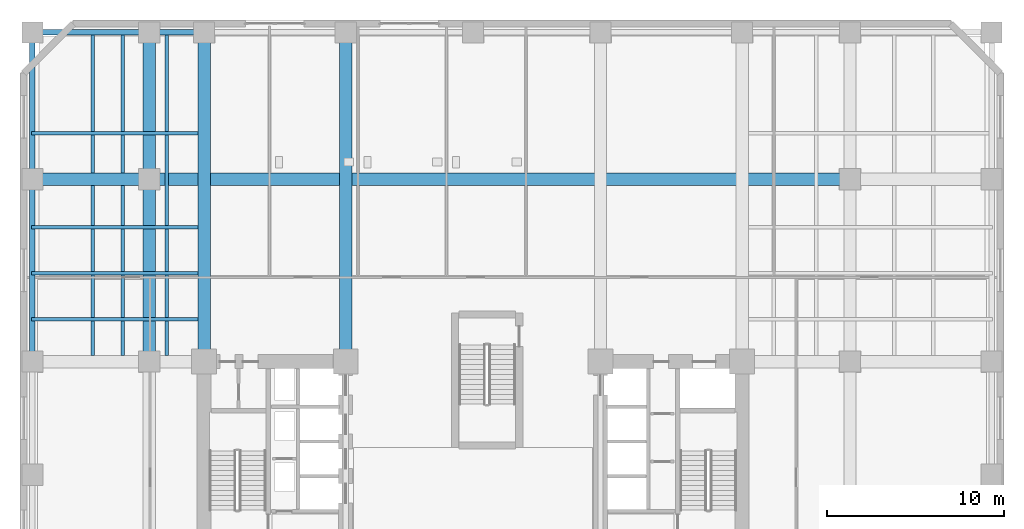
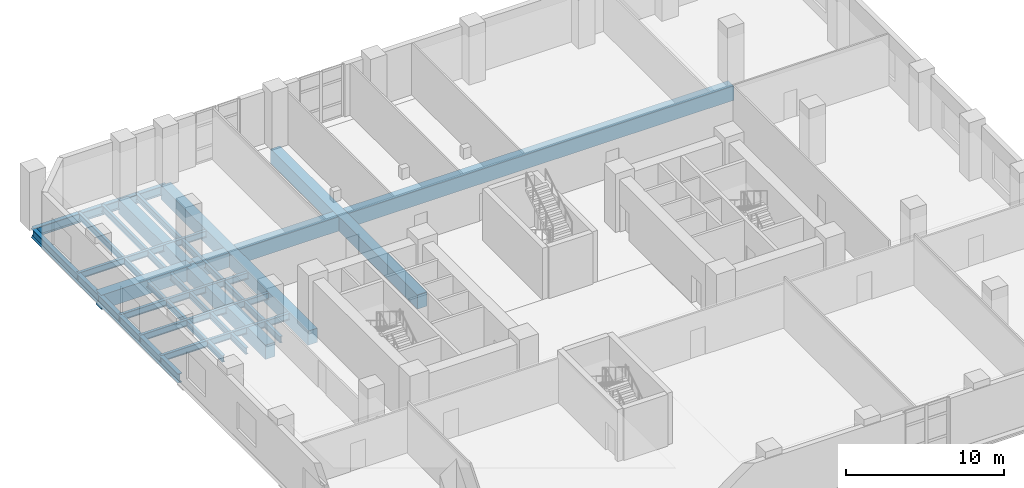
# One storey, part 3 of 15: 17 beams.
"""IFC4 building model written with IfcOpenShell, lengths in metres."""

from ifc_helpers import new_model, si_unit, direction, frame, origin, origin_2d, place, context, subcontext, project, spatial, rectangle, i_section, extrude, material, material_profile, profile_set, type_object, element, save


model = new_model("IFC4")

# Units and contexts
model_context = context("Model", 3, precision=1e-05, world=origin(), true_north=direction((0.0, 1.0)))
body_context = subcontext(model_context, "Body", "Model", "MODEL_VIEW")
ifc_project = project(units=[si_unit("LENGTHUNIT", "METRE"), si_unit("AREAUNIT", "SQUARE_METRE"), si_unit("VOLUMEUNIT", "CUBIC_METRE"), si_unit("PLANEANGLEUNIT", "RADIAN"), si_unit("MASSUNIT", "GRAM", prefix="KILO")], contexts=[model_context])

# Site, building, storey
site_placement = place(None, origin())
site = spatial("IfcSite", under=ifc_project, at=site_placement, CompositionType="ELEMENT")
building_placement = place(site_placement, origin())
building = spatial("IfcBuilding", under=site, at=building_placement, Name="Kranthara Brick Stack", CompositionType="ELEMENT")
storey_placement = place(building_placement, frame((0.0, 0.0, 14.39990234375)))
storey = spatial("IfcBuildingStorey", under=building, at=storey_placement, Name="L03", CompositionType="ELEMENT", Elevation=14.39990234375)

# Beams
ifc_material_1 = material(Name="Steel S355", Category="steel")
ifc_material_profile_1 = material_profile(ifc_material_1, i_section(OverallWidth=0.199951171875, OverallDepth=0.5, WebThickness=0.01025390625, FlangeThickness=0.01611328125, at=origin_2d()), Name="IPE 500")
ifc_profile_set_1 = profile_set([ifc_material_profile_1], Name="Steel S355")
beam_type_1 = type_object("IfcBeamType", Name="BM-JST-IPE500", PredefinedType="JOIST", material=ifc_profile_set_1)
for number, where, z_axis, x_axis, name in (
    (1, (6.5, 33.949951171875, -0.56982421875), (0.0, 1.0, 0.0), (-1.0, 0.0, 0.0), "L03 North Wing Floor Joist 066"),
    (2, (8.199951171875, 33.949951171875, -0.56982421875), (0.0, 1.0, 0.0), (-1.0, 0.0, 0.0), "L03 North Wing Floor Joist 068"),
    (3, (10.699951171875, 33.949951171875, -0.56982421875), (0.0, 1.0, 0.0), (-1.0, 0.0, 0.0), "L03 North Wing Floor Joist 070"),
):
    element("IfcBeam", number, at=place(storey_placement, frame(where, z_axis=z_axis, x_axis=x_axis)), inside=storey, type_object=beam_type_1, Name=name, PredefinedType="JOIST", context=body_context, shape_type="SweptSolid", body=[
        extrude(i_section(OverallWidth=0.199951171875, OverallDepth=0.5, WebThickness=0.01025390625, FlangeThickness=0.01611328125, at=origin_2d()), origin(), (0.0, 0.0, 1.0), 18.300048828125),
    ])
for number, where, z_axis, x_axis, name in (
    (4, (3.050048828125, 36.0, -0.56982421875), (1.0, 0.0, 0.0), (0.0, 1.0, 0.0), "L03 West Wing Floor Joist 091"),
    (5, (3.050048828125, 38.60009765625, -0.56982421875), (1.0, 0.0, 0.0), (0.0, 1.0, 0.0), "L03 West Wing Floor Joist 093"),
    (6, (3.050048828125, 41.199951171875, -0.56982421875), (1.0, 0.0, 0.0), (0.0, 1.0, 0.0), "L03 West Wing Floor Joist 095"),
    (7, (3.050048828125, 46.5, -0.56982421875), (1.0, 0.0, 0.0), (0.0, 1.0, 0.0), "L03 West Wing Floor Joist 097"),
):
    element("IfcBeam", number, at=place(storey_placement, frame(where, z_axis=z_axis, x_axis=x_axis)), inside=storey, type_object=beam_type_1, Name=name, PredefinedType="JOIST", context=body_context, shape_type="SweptSolid", body=[
        extrude(i_section(OverallWidth=0.199951171875, OverallDepth=0.5, WebThickness=0.01025390625, FlangeThickness=0.01611328125, at=origin_2d()), origin(), (0.0, 0.0, 1.0), 9.39990234375),
    ])
ifc_material_2 = material(Name="Post-tensioned concrete C45/55", Category="concrete")
ifc_material_profile_2 = material_profile(ifc_material_2, rectangle(XDim=0.699951171875, YDim=1.10009765625, at=origin_2d()), Name="PT 700x1100")
ifc_profile_set_2 = profile_set([ifc_material_profile_2], Name="Post-tensioned concrete C45/55")
beam_type_2 = type_object("IfcBeamType", Name="BM-POD-PT1100", PredefinedType="BEAM", material=ifc_profile_set_2)
beam_1_placement = place(storey_placement, frame((9.699951171875, 33.60009765625, -0.869873046875), z_axis=(0.0, 1.0, 0.0), x_axis=(-1.0, 0.0, 0.0)))
element("IfcBeam", 8, at=beam_1_placement, inside=storey, type_object=beam_type_2, Name="L03 Primary Grid Girder 035", PredefinedType="BEAM", context=body_context, shape_type="SweptSolid", body=[
    extrude(rectangle(XDim=0.699951171875, YDim=1.10009765625, at=origin_2d()), origin(), (0.0, 0.0, 1.0), 10.2998046875),
])
beam_2_placement = place(storey_placement, frame((9.699951171875, 43.89990234375, -0.869873046875), z_axis=(0.0, 1.0, 0.0), x_axis=(-1.0, 0.0, 0.0)))
element("IfcBeam", 9, at=beam_2_placement, inside=storey, type_object=beam_type_2, Name="L03 Primary Grid Girder 036", PredefinedType="BEAM", context=body_context, shape_type="SweptSolid", body=[
    extrude(rectangle(XDim=0.699951171875, YDim=1.10009765625, at=origin_2d()), origin(), (0.0, 0.0, 1.0), 8.300048828125),
])
for number, where, z_axis, x_axis, name in (
    (10, (12.800048828125, 33.60009765625, -0.869873046875), (0.0, 1.0, 0.0), (-1.0, 0.0, 0.0), "L03 Primary Grid Girder 038"),
    (11, (20.800048828125, 33.60009765625, -0.869873046875), (0.0, 1.0, 0.0), (-1.0, 0.0, 0.0), "L03 Primary Grid Girder 040"),
):
    element("IfcBeam", number, at=place(storey_placement, frame(where, z_axis=z_axis, x_axis=x_axis)), inside=storey, type_object=beam_type_2, Name=name, PredefinedType="BEAM", context=body_context, shape_type="SweptSolid", body=[
        extrude(rectangle(XDim=0.699951171875, YDim=1.10009765625, at=origin_2d()), origin(), (0.0, 0.0, 1.0), 18.599853515625),
    ])
beam_3_placement = place(storey_placement, frame((3.10009765625, 43.89990234375, -0.869873046875), z_axis=(1.0, 0.0, 0.0), x_axis=(0.0, 1.0, 0.0)))
element("IfcBeam", 12, at=beam_3_placement, inside=storey, type_object=beam_type_2, Name="L03 Primary Grid Girder 062", PredefinedType="BEAM", context=body_context, shape_type="SweptSolid", body=[
    extrude(rectangle(XDim=0.699951171875, YDim=1.10009765625, at=origin_2d()), origin(), (0.0, 0.0, 1.0), 6.599853515625),
])
beam_4_placement = place(storey_placement, frame((9.699951171875, 43.89990234375, -0.869873046875), z_axis=(1.0, 0.0, 0.0), x_axis=(0.0, 1.0, 0.0)))
element("IfcBeam", 13, at=beam_4_placement, inside=storey, type_object=beam_type_2, Name="L03 Primary Grid Girder 063", PredefinedType="BEAM", context=body_context, shape_type="SweptSolid", body=[
    extrude(rectangle(XDim=0.699951171875, YDim=1.10009765625, at=origin_2d()), origin(), (0.0, 0.0, 1.0), 39.60009765625),
])
ifc_material_3 = material(Name="Steel S355", Category="steel")
ifc_material_profile_3 = material_profile(ifc_material_3, i_section(OverallWidth=0.300048828125, OverallDepth=0.699951171875, WebThickness=0.01708984375, FlangeThickness=0.031982421875, at=origin_2d()), Name="HEB 700")
ifc_profile_set_3 = profile_set([ifc_material_profile_3], Name="Steel S355")
beam_type_3 = type_object("IfcBeamType", Name="BM-STL-HEB700", PredefinedType="BEAM", material=ifc_profile_set_3)
beam_5_placement = place(storey_placement, frame((3.10009765625, 52.199951171875, -0.669921875), z_axis=(1.0, 0.0, 0.0), x_axis=(0.0, 1.0, 0.0)))
element("IfcBeam", 14, at=beam_5_placement, inside=storey, type_object=beam_type_3, Name="L03 Perimeter Spandrel Beam 012", PredefinedType="BEAM", context=body_context, shape_type="SweptSolid", body=[
    extrude(i_section(OverallWidth=0.300048828125, OverallDepth=0.699951171875, WebThickness=0.01708984375, FlangeThickness=0.031982421875, at=origin_2d()), origin(), (0.0, 0.0, 1.0), 6.599853515625),
])
beam_6_placement = place(storey_placement, frame((9.699951171875, 52.199951171875, -0.669921875), z_axis=(1.0, 0.0, 0.0), x_axis=(0.0, 1.0, 0.0)))
element("IfcBeam", 15, at=beam_6_placement, inside=storey, type_object=beam_type_3, Name="L03 Perimeter Spandrel Beam 013", PredefinedType="BEAM", context=body_context, shape_type="SweptSolid", body=[
    extrude(i_section(OverallWidth=0.300048828125, OverallDepth=0.699951171875, WebThickness=0.01708984375, FlangeThickness=0.031982421875, at=origin_2d()), origin(), (0.0, 0.0, 1.0), 3.10009765625),
])
beam_7_placement = place(storey_placement, frame((3.10009765625, 33.60009765625, -0.669921875), z_axis=(0.0, 1.0, 0.0), x_axis=(-1.0, 0.0, 0.0)))
element("IfcBeam", 16, at=beam_7_placement, inside=storey, type_object=beam_type_3, Name="L03 Perimeter Spandrel Beam 024", PredefinedType="BEAM", context=body_context, shape_type="SweptSolid", body=[
    extrude(i_section(OverallWidth=0.300048828125, OverallDepth=0.699951171875, WebThickness=0.01708984375, FlangeThickness=0.031982421875, at=origin_2d()), origin(), (0.0, 0.0, 1.0), 10.2998046875),
])
beam_8_placement = place(storey_placement, frame((3.10009765625, 43.89990234375, -0.669921875), z_axis=(0.0, 1.0, 0.0), x_axis=(-1.0, 0.0, 0.0)))
element("IfcBeam", 17, at=beam_8_placement, inside=storey, type_object=beam_type_3, Name="L03 Perimeter Spandrel Beam 025", PredefinedType="BEAM", context=body_context, shape_type="SweptSolid", body=[
    extrude(i_section(OverallWidth=0.300048828125, OverallDepth=0.699951171875, WebThickness=0.01708984375, FlangeThickness=0.031982421875, at=origin_2d()), origin(), (0.0, 0.0, 1.0), 8.300048828125),
])

save(model, "model.ifc")
